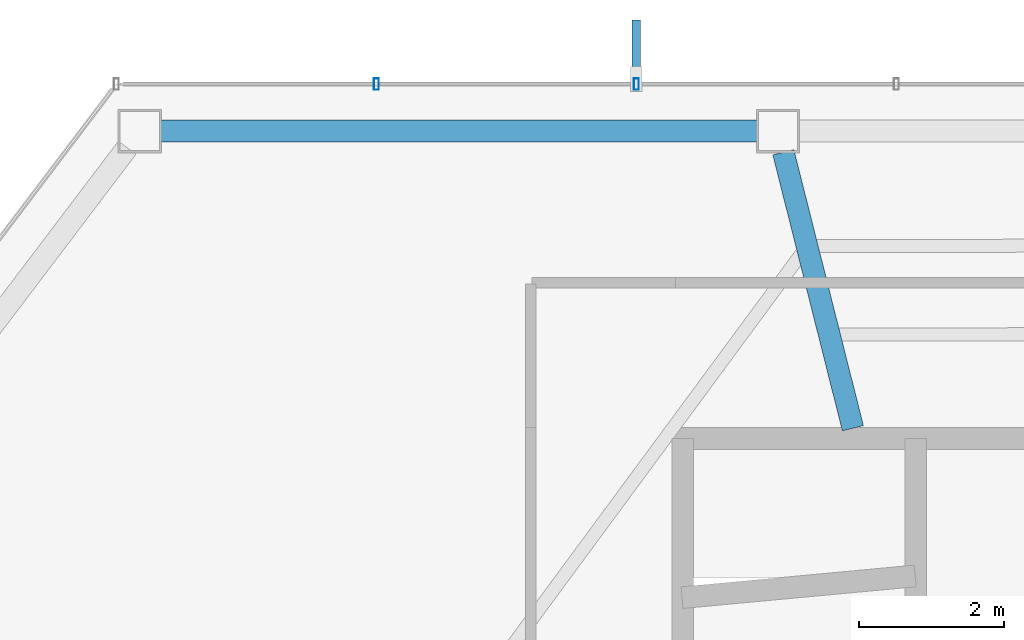
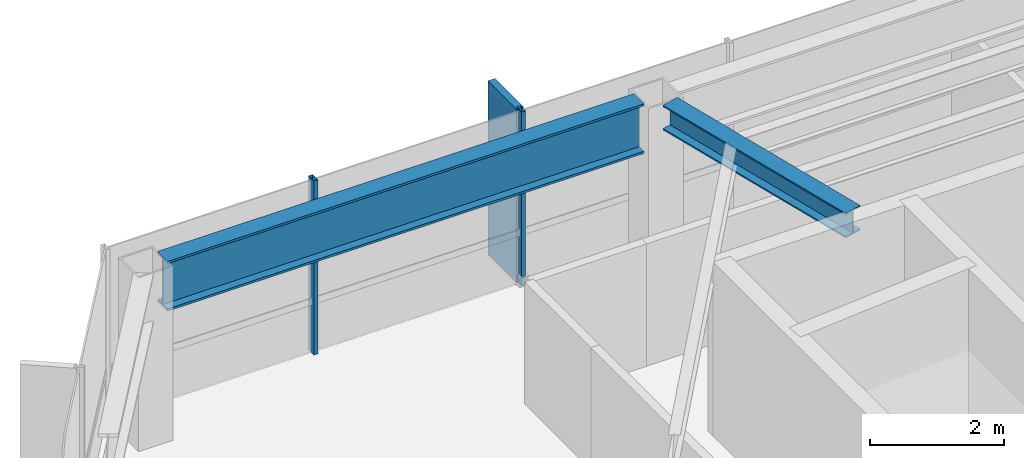
# One storey, part 13 of 28: 3 members, 2 beams, 1 element without a shape of its own.
"""IFC4 building model written with IfcOpenShell, lengths in metres."""

from ifc_helpers import new_model, si_unit, direction, frame, origin, origin_2d, place, context, subcontext, project, spatial, rectangle, hollow_rectangle, i_section, extrude, material, layer, layer_set, material_profile, profile_set, type_object, element, aggregate, save


model = new_model("IFC4")

# Units and contexts
model_context = context("Model", 3, precision=1e-05, world=origin(), true_north=direction((0.0, 1.0)))
body_context = subcontext(model_context, "Body", "Model", "MODEL_VIEW")
ifc_project = project(units=[si_unit("LENGTHUNIT", "METRE"), si_unit("AREAUNIT", "SQUARE_METRE"), si_unit("VOLUMEUNIT", "CUBIC_METRE"), si_unit("PLANEANGLEUNIT", "RADIAN"), si_unit("MASSUNIT", "GRAM", prefix="KILO")], contexts=[model_context])

# Site, building, storey
site_placement = place(None, origin())
site = spatial("IfcSite", under=ifc_project, at=site_placement, CompositionType="ELEMENT")
building_placement = place(site_placement, origin())
building = spatial("IfcBuilding", under=site, at=building_placement, Name="Zarrinselat Tower", CompositionType="ELEMENT")
storey_placement = place(building_placement, frame((0.0, 0.0, 222.360107421875)))
storey = spatial("IfcBuildingStorey", under=building, at=storey_placement, Name="L55", CompositionType="ELEMENT", Elevation=222.360107421875)

# Beams
ifc_material_1 = material(Name="Steel S355J2", Category="steel")
ifc_material_profile_1 = material_profile(ifc_material_1, i_section(OverallWidth=0.300048828125, OverallDepth=0.449951171875, WebThickness=0.013916015625, FlangeThickness=0.02587890625, at=origin_2d()), Name="HEB 450")
ifc_profile_set_1 = profile_set([ifc_material_profile_1], Name="Steel S355J2")
beam_type_1 = type_object("IfcBeamType", Name="BM-HEB450", PredefinedType="BEAM", material=ifc_profile_set_1)
beam_1_placement = place(storey_placement, frame((30.039306640625, 47.3515625, 2.954833984375), z_axis=(0.244405803834, -0.969673039252, 0.0), x_axis=(0.969673039252, 0.244405803834, 0.0)))
element("IfcBeam", 1, at=beam_1_placement, inside=storey, type_object=beam_type_1, Name="L55 Radial Primary Girder RG04", PredefinedType="BEAM", context=body_context, shape_type="SweptSolid", body=[
    extrude(i_section(OverallWidth=0.300048828125, OverallDepth=0.449951171875, WebThickness=0.013916015625, FlangeThickness=0.02587890625, at=origin_2d()), origin(), (0.0, 0.0, 1.0), 3.9306640625),
])
ifc_material_2 = material(Name="Steel S460M", Category="steel")
ifc_material_profile_2 = material_profile(ifc_material_2, i_section(OverallWidth=0.302001953125, OverallDepth=0.909912109375, WebThickness=0.02099609375, FlangeThickness=0.0400390625, at=origin_2d()), Name="HEM 900")
ifc_profile_set_2 = profile_set([ifc_material_profile_2], Name="Steel S460M")
beam_type_2 = type_object("IfcBeamType", Name="BM-HEM900", PredefinedType="BEAM", material=ifc_profile_set_2)
beam_2_placement = place(storey_placement, frame((21.4365234375, 47.644287109375, 2.724853515625), z_axis=(1.0, 0.0, 0.0), x_axis=(0.0, 1.0, 0.0)))
element("IfcBeam", 2, at=beam_2_placement, inside=storey, type_object=beam_type_2, Name="L55 Perimeter Spandrel Girder SP04", PredefinedType="BEAM", context=body_context, shape_type="SweptSolid", body=[
    extrude(i_section(OverallWidth=0.302001953125, OverallDepth=0.909912109375, WebThickness=0.02099609375, FlangeThickness=0.0400390625, at=origin_2d()), origin(), (0.0, 0.0, 1.0), 8.240966796875),
])

# Curtain wall, members
ifc_material_3 = material(Name="Extruded Aluminium Alloy EN AW-6063 T6", Category="aluminium")
ifc_layer = layer(ifc_material_3, 0.169921875)
ifc_layer_set = layer_set([ifc_layer], Name="Extruded Aluminium Alloy EN AW-6063 T6")
curtain_wall_type = type_object("IfcCurtainWallType", Name="CWS-RES", PredefinedType="NOTDEFINED", material=ifc_layer_set)
curtain_wall_placement = place(storey_placement, origin())
curtain_wall = element("IfcCurtainWall", 3, at=curtain_wall_placement, inside=storey, type_object=curtain_wall_type, Name="L55 Unitised Curtain Wall CW-L55-E01", PredefinedType="NOTDEFINED")
ifc_material_4 = material(Name="Extruded Aluminium Alloy EN AW-6063 T6", Category="aluminium")
ifc_material_profile_3 = material_profile(ifc_material_4, hollow_rectangle(XDim=0.070068359375, YDim=0.159912109375, WallThickness=0.00390625, at=origin_2d()), Name="RHS 160x70x4")
ifc_profile_set_3 = profile_set([ifc_material_profile_3], Name="Extruded Aluminium Alloy EN AW-6063 T6")
member_type_1 = type_object("IfcMemberType", Name="MEM-CW-MUL2", PredefinedType="MULLION", material=ifc_profile_set_3)
member_1_placement = place(storey_placement, frame((28.00830078125, 48.29443359375, 0.0), z_axis=(0.0, 0.0, 1.0), x_axis=(-1.0, 0.0, 0.0)))
member_1 = element("IfcMember", 4, at=member_1_placement, type_object=member_type_1, Name="CW-L55-E01 Mullion 9", PredefinedType="MULLION", context=body_context, shape_type="SweptSolid", body=[
    extrude(hollow_rectangle(XDim=0.070068359375, YDim=0.159912109375, WallThickness=0.00390625, at=origin_2d()), origin(), (0.0, 0.0, 1.0), 3.179931640625),
])
member_2_placement = place(storey_placement, frame((24.4169921875, 48.29443359375, 0.0), z_axis=(0.0, 0.0, 1.0), x_axis=(-1.0, 0.0, 0.0)))
member_2 = element("IfcMember", 5, at=member_2_placement, type_object=member_type_1, Name="CW-L55-E01 Mullion 10", PredefinedType="MULLION", context=body_context, shape_type="SweptSolid", body=[
    extrude(hollow_rectangle(XDim=0.070068359375, YDim=0.159912109375, WallThickness=0.00390625, at=origin_2d()), origin(), (0.0, 0.0, 1.0), 3.179931640625),
])
ifc_material_5 = material(Name="Honed Cream Travertine Stone", Category="masonry")
ifc_material_profile_4 = material_profile(ifc_material_5, rectangle(XDim=0.1201171875, YDim=0.85009765625, at=origin_2d()), Name="FIN 850x120")
ifc_profile_set_4 = profile_set([ifc_material_profile_4], Name="Honed Cream Travertine Stone")
member_type_2 = type_object("IfcMemberType", Name="MEM-STONE-FIN", PredefinedType="USERDEFINED", material=ifc_profile_set_4)
member_3_placement = place(storey_placement, frame((28.00830078125, 48.75439453125, 0.0), z_axis=(0.0, 0.0, 1.0), x_axis=(1.0, 0.0, 0.0)))
member_3 = element("IfcMember", 6, at=member_3_placement, type_object=member_type_2, Name="L55 Stone Shading Fin CW-L55-E01-09", ObjectType="FIN", PredefinedType="USERDEFINED", context=body_context, shape_type="SweptSolid", body=[
    extrude(rectangle(XDim=0.1201171875, YDim=0.85009765625, at=origin_2d()), origin(), (0.0, 0.0, 1.0), 3.179931640625),
])
aggregate(curtain_wall, [member_1, member_3, member_2])

save(model, "model.ifc")
